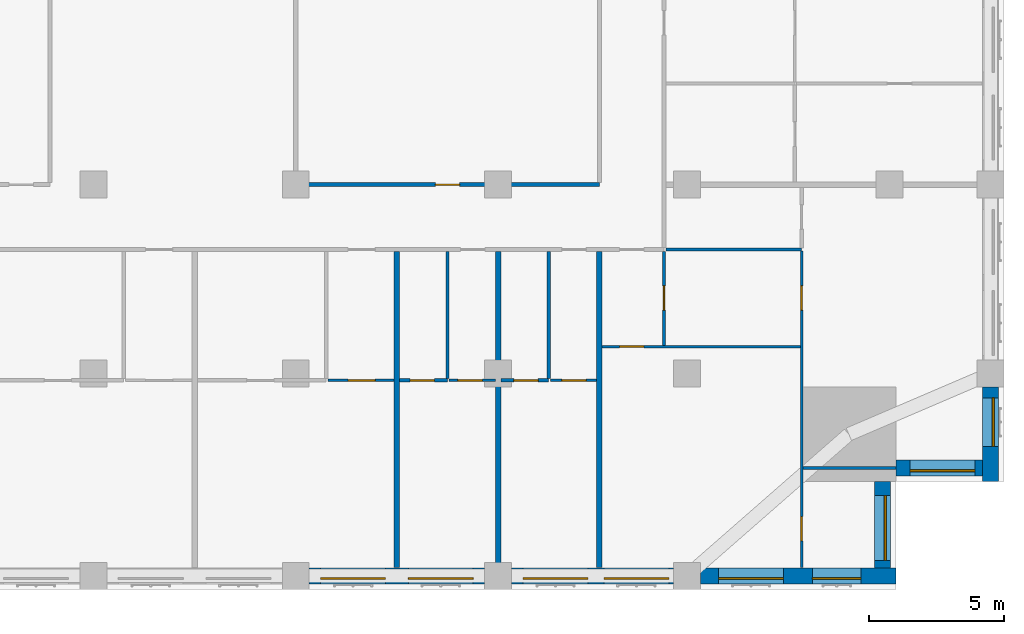
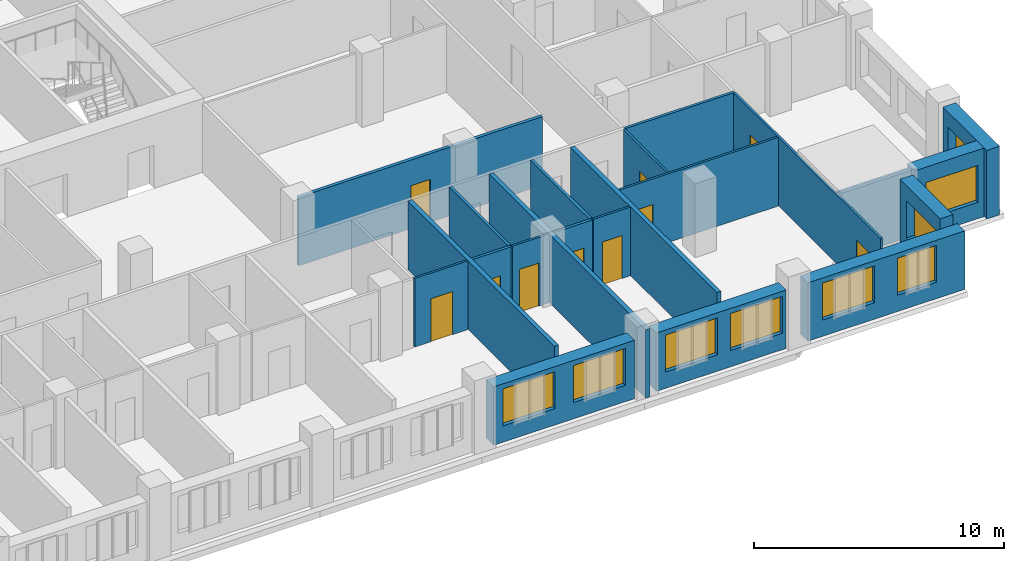
# One storey, part 6 of 14: 22 walls, 10 doors, 9 windows, 19 openings.
"""IFC4 building model written with IfcOpenShell, lengths in metres."""

from ifc_helpers import new_model, si_unit, direction, frame, frame_2d, origin, place, context, subcontext, project, spatial, rectangle, extrude, material, layer, layer_set, type_object, element, fill, save


model = new_model("IFC4")

# Units and contexts
model_context = context("Model", 3, precision=1e-05, world=origin(), true_north=direction((0.0, 1.0)))
body_context = subcontext(model_context, "Body", "Model", "MODEL_VIEW")
ifc_project = project(units=[si_unit("LENGTHUNIT", "METRE"), si_unit("AREAUNIT", "SQUARE_METRE"), si_unit("VOLUMEUNIT", "CUBIC_METRE"), si_unit("PLANEANGLEUNIT", "RADIAN"), si_unit("MASSUNIT", "GRAM", prefix="KILO")], contexts=[model_context])

# Site, building, storey
site_placement = place(None, origin())
site = spatial("IfcSite", under=ifc_project, at=site_placement, CompositionType="ELEMENT")
building_placement = place(site_placement, origin())
building = spatial("IfcBuilding", under=site, at=building_placement, Name="Tamorin Gate", CompositionType="ELEMENT")
storey_placement = place(building_placement, frame((0.0, 0.0, 155.39990234375)))
storey = spatial("IfcBuildingStorey", under=building, at=storey_placement, Name="L38", CompositionType="ELEMENT", Elevation=155.39990234375)

# Wall, openings, windows
ifc_material_1 = material(Name="Precast concrete C40/50", Category="concrete")
ifc_layer_1 = layer(ifc_material_1, 0.60009765625)
ifc_layer_set_1 = layer_set([ifc_layer_1], Name="Precast concrete C40/50")
wall_type_1 = type_object("IfcWallType", Name="Board-marked concrete facade panel 600", PredefinedType="SOLIDWALL", material=ifc_layer_set_1)
wall_1_placement = place(storey_placement, frame((60.5, 38.0, 0.0), z_axis=(0.0, 0.0, 1.0), x_axis=(1.0, 0.0, 0.0)))
wall_1 = element("IfcWall", 1, at=wall_1_placement, inside=storey, type_object=wall_type_1, Name="Facade panel", PredefinedType="SOLIDWALL", context=body_context, shape_type="SweptSolid", body=[
    extrude(rectangle(XDim=6.5, YDim=0.60009765625, at=frame_2d((3.25, 0.0))), origin(), (0.0, 0.0, 1.0), 2.85009765625),
])
opening_1_placement = place(wall_1_placement, frame((0.425048828125, 0.0, 0.800048828125)))
opening_1 = element("IfcOpeningElement", 2, at=opening_1_placement, cuts=wall_1, Name="Opening WN1", PredefinedType="OPENING", context=body_context, shape_type="SweptSolid", body=[
    extrude(rectangle(XDim=2.39990234375, YDim=1.800048828125, at=frame_2d((1.199951171875, 0.89990234375))), frame((0.0, 0.31005859375, 0.0), z_axis=(0.0, -1.0, 0.0), x_axis=(1.0, 0.0, 0.0)), (0.0, 0.0, 1.0), 0.6201171875),
])
opening_2_placement = place(wall_1_placement, frame((3.675048828125, 0.0, 0.800048828125)))
opening_2 = element("IfcOpeningElement", 3, at=opening_2_placement, cuts=wall_1, Name="Opening WN1", PredefinedType="OPENING", context=body_context, shape_type="SweptSolid", body=[
    extrude(rectangle(XDim=2.39990234375, YDim=1.800048828125, at=frame_2d((1.199951171875, 0.89990234375))), frame((0.0, 0.31005859375, 0.0), z_axis=(0.0, -1.0, 0.0), x_axis=(1.0, 0.0, 0.0)), (0.0, 0.0, 1.0), 0.6201171875),
])
ifc_material_2 = material(Name="Clear glass in aluminium frame", Category="aluminium")
window_type_1 = type_object("IfcWindowType", Name="Deep-set window 2400x1800", PartitioningType="SINGLE_PANEL", PredefinedType="WINDOW", material=ifc_material_2)
window_1_placement = place(opening_1_placement, origin())
window_1 = element("IfcWindow", 4, at=window_1_placement, inside=storey, type_object=window_type_1, Name="Deep-set window", OverallHeight=1.800048828125, OverallWidth=2.39990234375, PartitioningType="SINGLE_PANEL", PredefinedType="WINDOW", context=body_context, shape_type="SweptSolid", body=[
    extrude(rectangle(XDim=2.39990234375, YDim=1.800048828125, at=frame_2d((1.199951171875, 0.89990234375))), frame((0.0, -0.070068359375, 0.0), z_axis=(0.0, -1.0, 0.0), x_axis=(1.0, 0.0, 0.0)), (0.0, 0.0, 1.0), 0.06005859375),
])
fill(opening_1, window_1)
window_2_placement = place(opening_2_placement, origin())
window_2 = element("IfcWindow", 5, at=window_2_placement, inside=storey, type_object=window_type_1, Name="Deep-set window", OverallHeight=1.800048828125, OverallWidth=2.39990234375, PartitioningType="SINGLE_PANEL", PredefinedType="WINDOW", context=body_context, shape_type="SweptSolid", body=[
    extrude(rectangle(XDim=2.39990234375, YDim=1.800048828125, at=frame_2d((1.199951171875, 0.89990234375))), frame((0.0, -0.070068359375, 0.0), z_axis=(0.0, -1.0, 0.0), x_axis=(1.0, 0.0, 0.0)), (0.0, 0.0, 1.0), 0.06005859375),
])
fill(opening_2, window_2)

wall_2_placement = place(storey_placement, frame((68.0, 38.0, 0.0), z_axis=(0.0, 0.0, 1.0), x_axis=(1.0, 0.0, 0.0)))
wall_2 = element("IfcWall", 6, at=wall_2_placement, inside=storey, type_object=wall_type_1, Name="Facade panel", PredefinedType="SOLIDWALL", context=body_context, shape_type="SweptSolid", body=[
    extrude(rectangle(XDim=6.0, YDim=0.60009765625, at=frame_2d((3.0, 0.0))), origin(), (0.0, 0.0, 1.0), 2.85009765625),
])
opening_3_placement = place(wall_2_placement, frame((0.425048828125, 0.0, 0.800048828125)))
opening_3 = element("IfcOpeningElement", 7, at=opening_3_placement, cuts=wall_2, Name="Opening WN1", PredefinedType="OPENING", context=body_context, shape_type="SweptSolid", body=[
    extrude(rectangle(XDim=2.39990234375, YDim=1.800048828125, at=frame_2d((1.199951171875, 0.89990234375))), frame((0.0, 0.31005859375, 0.0), z_axis=(0.0, -1.0, 0.0), x_axis=(1.0, 0.0, 0.0)), (0.0, 0.0, 1.0), 0.6201171875),
])
opening_4_placement = place(wall_2_placement, frame((3.425048828125, 0.0, 0.800048828125)))
opening_4 = element("IfcOpeningElement", 8, at=opening_4_placement, cuts=wall_2, Name="Opening WN1", PredefinedType="OPENING", context=body_context, shape_type="SweptSolid", body=[
    extrude(rectangle(XDim=2.39990234375, YDim=1.800048828125, at=frame_2d((1.199951171875, 0.89990234375))), frame((0.0, 0.31005859375, 0.0), z_axis=(0.0, -1.0, 0.0), x_axis=(1.0, 0.0, 0.0)), (0.0, 0.0, 1.0), 0.6201171875),
])
window_3_placement = place(opening_3_placement, origin())
window_3 = element("IfcWindow", 9, at=window_3_placement, inside=storey, type_object=window_type_1, Name="Deep-set window", OverallHeight=1.800048828125, OverallWidth=2.39990234375, PartitioningType="SINGLE_PANEL", PredefinedType="WINDOW", context=body_context, shape_type="SweptSolid", body=[
    extrude(rectangle(XDim=2.39990234375, YDim=1.800048828125, at=frame_2d((1.199951171875, 0.89990234375))), frame((0.0, -0.070068359375, 0.0), z_axis=(0.0, -1.0, 0.0), x_axis=(1.0, 0.0, 0.0)), (0.0, 0.0, 1.0), 0.06005859375),
])
fill(opening_3, window_3)
window_4_placement = place(opening_4_placement, origin())
window_4 = element("IfcWindow", 10, at=window_4_placement, inside=storey, type_object=window_type_1, Name="Deep-set window", OverallHeight=1.800048828125, OverallWidth=2.39990234375, PartitioningType="SINGLE_PANEL", PredefinedType="WINDOW", context=body_context, shape_type="SweptSolid", body=[
    extrude(rectangle(XDim=2.39990234375, YDim=1.800048828125, at=frame_2d((1.199951171875, 0.89990234375))), frame((0.0, -0.070068359375, 0.0), z_axis=(0.0, -1.0, 0.0), x_axis=(1.0, 0.0, 0.0)), (0.0, 0.0, 1.0), 0.06005859375),
])
fill(opening_4, window_4)

wall_3_placement = place(storey_placement, frame((75.0, 38.0, 0.0), z_axis=(0.0, 0.0, 1.0), x_axis=(1.0, 0.0, 0.0)))
wall_3 = element("IfcWall", 11, at=wall_3_placement, inside=storey, type_object=wall_type_1, Name="Facade panel", PredefinedType="SOLIDWALL", context=body_context, shape_type="SweptSolid", body=[
    extrude(rectangle(XDim=7.25, YDim=0.60009765625, at=frame_2d((3.625, 0.0))), origin(), (0.0, 0.0, 1.0), 2.85009765625),
])
opening_5_placement = place(wall_3_placement, frame((0.675048828125, 0.0, 0.800048828125)))
opening_5 = element("IfcOpeningElement", 12, at=opening_5_placement, cuts=wall_3, Name="Opening WN1", PredefinedType="OPENING", context=body_context, shape_type="SweptSolid", body=[
    extrude(rectangle(XDim=2.39990234375, YDim=1.800048828125, at=frame_2d((1.199951171875, 0.89990234375))), frame((0.0, 0.31005859375, 0.0), z_axis=(0.0, -1.0, 0.0), x_axis=(1.0, 0.0, 0.0)), (0.0, 0.0, 1.0), 0.6201171875),
])
opening_6_placement = place(wall_3_placement, frame((4.14990234375, 0.0, 0.800048828125)))
opening_6 = element("IfcOpeningElement", 13, at=opening_6_placement, cuts=wall_3, Name="Opening WN2", PredefinedType="OPENING", context=body_context, shape_type="SweptSolid", body=[
    extrude(rectangle(XDim=1.800048828125, YDim=1.800048828125, at=frame_2d((0.89990234375, 0.89990234375))), frame((0.0, 0.31005859375, 0.0), z_axis=(0.0, -1.0, 0.0), x_axis=(1.0, 0.0, 0.0)), (0.0, 0.0, 1.0), 0.6201171875),
])
window_type_2 = type_object("IfcWindowType", Name="Deep-set window 1800x1800", PartitioningType="SINGLE_PANEL", PredefinedType="WINDOW", material=ifc_material_2)
window_5_placement = place(opening_6_placement, origin())
window_5 = element("IfcWindow", 14, at=window_5_placement, inside=storey, type_object=window_type_2, Name="Deep-set window", OverallHeight=1.800048828125, OverallWidth=1.800048828125, PartitioningType="SINGLE_PANEL", PredefinedType="WINDOW", context=body_context, shape_type="SweptSolid", body=[
    extrude(rectangle(XDim=1.800048828125, YDim=1.800048828125, at=frame_2d((0.89990234375, 0.89990234375))), frame((0.0, -0.070068359375, 0.0), z_axis=(0.0, -1.0, 0.0), x_axis=(1.0, 0.0, 0.0)), (0.0, 0.0, 1.0), 0.06005859375),
])
fill(opening_6, window_5)
window_6_placement = place(opening_5_placement, origin())
window_6 = element("IfcWindow", 15, at=window_6_placement, inside=storey, type_object=window_type_1, Name="Deep-set window", OverallHeight=1.800048828125, OverallWidth=2.39990234375, PartitioningType="SINGLE_PANEL", PredefinedType="WINDOW", context=body_context, shape_type="SweptSolid", body=[
    extrude(rectangle(XDim=2.39990234375, YDim=1.800048828125, at=frame_2d((1.199951171875, 0.89990234375))), frame((0.0, -0.070068359375, 0.0), z_axis=(0.0, -1.0, 0.0), x_axis=(1.0, 0.0, 0.0)), (0.0, 0.0, 1.0), 0.06005859375),
])
fill(opening_5, window_6)

# Wall, opening, window
wall_4_placement = place(storey_placement, frame((81.75, 38.300048828125, 0.0), z_axis=(0.0, 0.0, 1.0), x_axis=(0.0, 1.0, 0.0)))
wall_4 = element("IfcWall", 16, at=wall_4_placement, inside=storey, type_object=wall_type_1, Name="Facade panel", PredefinedType="SOLIDWALL", context=body_context, shape_type="SweptSolid", body=[
    extrude(rectangle(XDim=3.199951171875, YDim=0.60009765625, at=frame_2d((1.60009765625, 0.0))), origin(), (0.0, 0.0, 1.0), 3.35009765625),
])
opening_7_placement = place(wall_4_placement, frame((0.27490234375, 0.0, 0.800048828125)))
opening_7 = element("IfcOpeningElement", 17, at=opening_7_placement, cuts=wall_4, Name="Opening WN1", PredefinedType="OPENING", context=body_context, shape_type="SweptSolid", body=[
    extrude(rectangle(XDim=2.39990234375, YDim=1.800048828125, at=frame_2d((1.199951171875, 0.89990234375))), frame((0.0, 0.31005859375, 0.0), z_axis=(0.0, -1.0, 0.0), x_axis=(1.0, 0.0, 0.0)), (0.0, 0.0, 1.0), 0.6201171875),
])
window_7_placement = place(opening_7_placement, origin())
window_7 = element("IfcWindow", 18, at=window_7_placement, inside=storey, type_object=window_type_1, Name="Deep-set window", OverallHeight=1.800048828125, OverallWidth=2.39990234375, PartitioningType="SINGLE_PANEL", PredefinedType="WINDOW", context=body_context, shape_type="SweptSolid", body=[
    extrude(rectangle(XDim=2.39990234375, YDim=1.800048828125, at=frame_2d((1.199951171875, 0.89990234375))), frame((0.0, -0.070068359375, 0.0), z_axis=(0.0, -1.0, 0.0), x_axis=(1.0, 0.0, 0.0)), (0.0, 0.0, 1.0), 0.06005859375),
])
fill(opening_7, window_7)

wall_5_placement = place(storey_placement, frame((82.25, 42.0, 0.0), z_axis=(0.0, 0.0, 1.0), x_axis=(1.0, 0.0, 0.0)))
wall_5 = element("IfcWall", 19, at=wall_5_placement, inside=storey, type_object=wall_type_1, Name="Facade panel", PredefinedType="SOLIDWALL", context=body_context, shape_type="SweptSolid", body=[
    extrude(rectangle(XDim=3.199951171875, YDim=0.60009765625, at=frame_2d((1.60009765625, 0.0))), origin(), (0.0, 0.0, 1.0), 3.35009765625),
])
opening_8_placement = place(wall_5_placement, frame((0.52490234375, 0.0, 0.800048828125)))
opening_8 = element("IfcOpeningElement", 20, at=opening_8_placement, cuts=wall_5, Name="Opening WN1", PredefinedType="OPENING", context=body_context, shape_type="SweptSolid", body=[
    extrude(rectangle(XDim=2.39990234375, YDim=1.800048828125, at=frame_2d((1.199951171875, 0.89990234375))), frame((0.0, 0.31005859375, 0.0), z_axis=(0.0, -1.0, 0.0), x_axis=(1.0, 0.0, 0.0)), (0.0, 0.0, 1.0), 0.6201171875),
])
window_8_placement = place(opening_8_placement, origin())
window_8 = element("IfcWindow", 21, at=window_8_placement, inside=storey, type_object=window_type_1, Name="Deep-set window", OverallHeight=1.800048828125, OverallWidth=2.39990234375, PartitioningType="SINGLE_PANEL", PredefinedType="WINDOW", context=body_context, shape_type="SweptSolid", body=[
    extrude(rectangle(XDim=2.39990234375, YDim=1.800048828125, at=frame_2d((1.199951171875, 0.89990234375))), frame((0.0, -0.070068359375, 0.0), z_axis=(0.0, -1.0, 0.0), x_axis=(1.0, 0.0, 0.0)), (0.0, 0.0, 1.0), 0.06005859375),
])
fill(opening_8, window_8)

wall_6_placement = place(storey_placement, frame((85.75, 41.5, 0.0), z_axis=(0.0, 0.0, 1.0), x_axis=(0.0, 1.0, 0.0)))
wall_6 = element("IfcWall", 22, at=wall_6_placement, inside=storey, type_object=wall_type_1, Name="Facade panel", PredefinedType="SOLIDWALL", context=body_context, shape_type="SweptSolid", body=[
    extrude(rectangle(XDim=3.5, YDim=0.60009765625, at=frame_2d((1.75, 0.0))), origin(), (0.0, 0.0, 1.0), 3.35009765625),
])
opening_9_placement = place(wall_6_placement, frame((1.300048828125, 0.0, 0.800048828125)))
opening_9 = element("IfcOpeningElement", 23, at=opening_9_placement, cuts=wall_6, Name="Opening WN2", PredefinedType="OPENING", context=body_context, shape_type="SweptSolid", body=[
    extrude(rectangle(XDim=1.800048828125, YDim=1.800048828125, at=frame_2d((0.89990234375, 0.89990234375))), frame((0.0, 0.31005859375, 0.0), z_axis=(0.0, -1.0, 0.0), x_axis=(1.0, 0.0, 0.0)), (0.0, 0.0, 1.0), 0.6201171875),
])
window_9_placement = place(opening_9_placement, origin())
window_9 = element("IfcWindow", 24, at=window_9_placement, inside=storey, type_object=window_type_2, Name="Deep-set window", OverallHeight=1.800048828125, OverallWidth=1.800048828125, PartitioningType="SINGLE_PANEL", PredefinedType="WINDOW", context=body_context, shape_type="SweptSolid", body=[
    extrude(rectangle(XDim=1.800048828125, YDim=1.800048828125, at=frame_2d((0.89990234375, 0.89990234375))), frame((0.0, -0.070068359375, 0.0), z_axis=(0.0, -1.0, 0.0), x_axis=(1.0, 0.0, 0.0)), (0.0, 0.0, 1.0), 0.06005859375),
])
fill(opening_9, window_9)

# Wall, opening, door
ifc_material_3 = material(Name="Gypsum board partition")
ifc_layer_2 = layer(ifc_material_3, 0.14990234375)
ifc_layer_set_2 = layer_set([ifc_layer_2], Name="Corridor wall 150")
wall_type_2 = type_object("IfcWallType", Name="Corridor wall 150", PredefinedType="PARTITIONING", material=ifc_layer_set_2)
wall_7_placement = place(storey_placement, frame((60.0, 52.5, 0.0), z_axis=(0.0, 0.0, 1.0), x_axis=(1.0, 0.0, 0.0)))
wall_7 = element("IfcWall", 25, at=wall_7_placement, inside=storey, type_object=wall_type_2, Name="Corridor wall 150", PredefinedType="PARTITIONING", context=body_context, shape_type="SweptSolid", body=[
    extrude(rectangle(XDim=11.25, YDim=0.14990234375, at=frame_2d((5.625, 0.0))), origin(), (0.0, 0.0, 1.0), 3.35009765625),
])
opening_10_placement = place(wall_7_placement, frame((5.175048828125, 0.0, 0.0)))
opening_10 = element("IfcOpeningElement", 26, at=opening_10_placement, cuts=wall_7, Name="Opening DS4074", PredefinedType="OPENING", context=body_context, shape_type="SweptSolid", body=[
    extrude(rectangle(XDim=0.89990234375, YDim=2.10009765625, at=frame_2d((0.449951171875, 1.050048828125))), frame((0.0, 0.0849609375, 0.0), z_axis=(0.0, -1.0, 0.0), x_axis=(1.0, 0.0, 0.0)), (0.0, 0.0, 1.0), 0.169921875),
])
ifc_material_4 = material(Name="Timber door leaf", Category="wood")
door_type_1 = type_object("IfcDoorType", Name="Door 900 x 2100 FD30S", OperationType="NOTDEFINED", PredefinedType="DOOR", material=ifc_material_4)
door_1_placement = place(opening_10_placement, origin())
door_1 = element("IfcDoor", 27, at=door_1_placement, inside=storey, type_object=door_type_1, Name="Door DS4074", OperationType="SINGLE_SWING_LEFT", OverallHeight=2.10009765625, OverallWidth=0.89990234375, PredefinedType="DOOR", context=body_context, shape_type="SweptSolid", body=[
    extrude(rectangle(XDim=0.89990234375, YDim=2.10009765625, at=frame_2d((0.449951171875, 1.050048828125))), frame((0.0, 0.02490234375, 0.0), z_axis=(0.0, -1.0, 0.0), x_axis=(1.0, 0.0, 0.0)), (0.0, 0.0, 1.0), 0.050048828125),
])
fill(opening_10, door_1)

# Walls
ifc_layer_3 = layer(ifc_material_3, 0.199951171875)
ifc_layer_set_3 = layer_set([ifc_layer_3], Name="Demising wall 200")
wall_type_3 = type_object("IfcWallType", Name="Demising wall 200", PredefinedType="PARTITIONING", material=ifc_layer_set_3)
wall_8_placement = place(storey_placement, frame((63.75, 38.31005859375, 0.0), z_axis=(0.0, 0.0, 1.0), x_axis=(0.0, 1.0, 0.0)))
element("IfcWall", 28, at=wall_8_placement, inside=storey, type_object=wall_type_3, Name="Demising wall 200", PredefinedType="PARTITIONING", context=body_context, shape_type="SweptSolid", body=[
    extrude(rectangle(XDim=11.71484375, YDim=0.199951171875, at=frame_2d((5.857421875, 0.0))), origin(), (0.0, 0.0, 1.0), 3.35009765625),
])
wall_9_placement = place(storey_placement, frame((67.5, 37.5, 0.0), z_axis=(0.0, 0.0, 1.0), x_axis=(0.0, 1.0, 0.0)))
element("IfcWall", 29, at=wall_9_placement, inside=storey, type_object=wall_type_3, Name="Demising wall 200", PredefinedType="PARTITIONING", context=body_context, shape_type="SweptSolid", body=[
    extrude(rectangle(XDim=12.52490234375, YDim=0.199951171875, at=frame_2d((6.262451171875, 0.0))), origin(), (0.0, 0.0, 1.0), 3.35009765625),
])
wall_10_placement = place(storey_placement, frame((71.25, 38.31005859375, 0.0), z_axis=(0.0, 0.0, 1.0), x_axis=(0.0, 1.0, 0.0)))
element("IfcWall", 30, at=wall_10_placement, inside=storey, type_object=wall_type_3, Name="Demising wall 200", PredefinedType="PARTITIONING", context=body_context, shape_type="SweptSolid", body=[
    extrude(rectangle(XDim=11.71484375, YDim=0.199951171875, at=frame_2d((5.857421875, 0.0))), origin(), (0.0, 0.0, 1.0), 3.35009765625),
])
ifc_layer_4 = layer(ifc_material_3, 0.10009765625)
ifc_layer_set_4 = layer_set([ifc_layer_4], Name="Room partition 100")
wall_type_4 = type_object("IfcWallType", Name="Room partition 100", PredefinedType="PARTITIONING", material=ifc_layer_set_4)
wall_11_placement = place(storey_placement, frame((78.800048828125, 42.0, 0.0), z_axis=(0.0, 0.0, 1.0), x_axis=(1.0, 0.0, 0.0)))
element("IfcWall", 31, at=wall_11_placement, inside=storey, type_object=wall_type_4, Name="Room partition 100", PredefinedType="PARTITIONING", context=body_context, shape_type="SweptSolid", body=[
    extrude(rectangle(XDim=3.43994140625, YDim=0.10009765625, at=frame_2d((1.719970703125, 0.0))), origin(), (0.0, 0.0, 1.0), 3.35009765625),
])

# Wall, opening, door
wall_12_placement = place(storey_placement, frame((61.1875, 45.25, 0.0), z_axis=(0.0, 0.0, 1.0), x_axis=(1.0, 0.0, 0.0)))
wall_12 = element("IfcWall", 32, at=wall_12_placement, inside=storey, type_object=wall_type_4, Name="Room partition 100", PredefinedType="PARTITIONING", context=body_context, shape_type="SweptSolid", body=[
    extrude(rectangle(XDim=2.46240234375, YDim=0.10009765625, at=frame_2d((1.231201171875, 0.0))), origin(), (0.0, 0.0, 1.0), 3.35009765625),
])
opening_11_placement = place(wall_12_placement, frame((0.75, 0.0, 0.0)))
opening_11 = element("IfcOpeningElement", 33, at=opening_11_placement, cuts=wall_12, Name="Opening DS4016", PredefinedType="OPENING", context=body_context, shape_type="SweptSolid", body=[
    extrude(rectangle(XDim=1.0, YDim=2.10009765625, at=frame_2d((0.5, 1.050048828125))), frame((0.0, 0.06005859375, 0.0), z_axis=(0.0, -1.0, 0.0), x_axis=(1.0, 0.0, 0.0)), (0.0, 0.0, 1.0), 0.1201171875),
])
door_type_2 = type_object("IfcDoorType", Name="Door 1000 x 2100", OperationType="NOTDEFINED", PredefinedType="DOOR", material=ifc_material_4)
door_2_placement = place(opening_11_placement, origin())
door_2 = element("IfcDoor", 34, at=door_2_placement, inside=storey, type_object=door_type_2, Name="Door DS4016", OperationType="SINGLE_SWING_LEFT", OverallHeight=2.10009765625, OverallWidth=1.0, PredefinedType="DOOR", context=body_context, shape_type="SweptSolid", body=[
    extrude(rectangle(XDim=1.0, YDim=2.10009765625, at=frame_2d((0.5, 1.050048828125))), frame((0.0, 0.02490234375, 0.0), z_axis=(0.0, -1.0, 0.0), x_axis=(1.0, 0.0, 0.0)), (0.0, 0.0, 1.0), 0.050048828125),
])
fill(opening_11, door_2)

wall_13_placement = place(storey_placement, frame((65.6875, 45.25, 0.0), z_axis=(0.0, 0.0, 1.0), x_axis=(1.0, 0.0, 0.0)))
wall_13 = element("IfcWall", 35, at=wall_13_placement, inside=storey, type_object=wall_type_4, Name="Room partition 100", PredefinedType="PARTITIONING", context=body_context, shape_type="SweptSolid", body=[
    extrude(rectangle(XDim=1.71240234375, YDim=0.10009765625, at=frame_2d((0.856201171875, 0.0))), origin(), (0.0, 0.0, 1.0), 3.35009765625),
])
opening_12_placement = place(wall_13_placement, frame((0.324951171875, 0.0, 0.0)))
opening_12 = element("IfcOpeningElement", 36, at=opening_12_placement, cuts=wall_13, Name="Opening DS4019", PredefinedType="OPENING", context=body_context, shape_type="SweptSolid", body=[
    extrude(rectangle(XDim=0.89990234375, YDim=2.10009765625, at=frame_2d((0.449951171875, 1.050048828125))), frame((0.0, 0.06005859375, 0.0), z_axis=(0.0, -1.0, 0.0), x_axis=(1.0, 0.0, 0.0)), (0.0, 0.0, 1.0), 0.1201171875),
])
door_type_3 = type_object("IfcDoorType", Name="Door 900 x 2100", OperationType="NOTDEFINED", PredefinedType="DOOR", material=ifc_material_4)
door_3_placement = place(opening_12_placement, origin())
door_3 = element("IfcDoor", 37, at=door_3_placement, inside=storey, type_object=door_type_3, Name="Door DS4019", OperationType="SINGLE_SWING_LEFT", OverallHeight=2.10009765625, OverallWidth=0.89990234375, PredefinedType="DOOR", context=body_context, shape_type="SweptSolid", body=[
    extrude(rectangle(XDim=0.89990234375, YDim=2.10009765625, at=frame_2d((0.449951171875, 1.050048828125))), frame((0.0, 0.02490234375, 0.0), z_axis=(0.0, -1.0, 0.0), x_axis=(1.0, 0.0, 0.0)), (0.0, 0.0, 1.0), 0.050048828125),
])
fill(opening_12, door_3)

wall_14_placement = place(storey_placement, frame((69.4375, 45.25, 0.0), z_axis=(0.0, 0.0, 1.0), x_axis=(1.0, 0.0, 0.0)))
wall_14 = element("IfcWall", 38, at=wall_14_placement, inside=storey, type_object=wall_type_4, Name="Room partition 100", PredefinedType="PARTITIONING", context=body_context, shape_type="SweptSolid", body=[
    extrude(rectangle(XDim=1.71240234375, YDim=0.10009765625, at=frame_2d((0.856201171875, 0.0))), origin(), (0.0, 0.0, 1.0), 3.35009765625),
])
opening_13_placement = place(wall_14_placement, frame((0.425048828125, 0.0, 0.0)))
opening_13 = element("IfcOpeningElement", 39, at=opening_13_placement, cuts=wall_14, Name="Opening DS4022", PredefinedType="OPENING", context=body_context, shape_type="SweptSolid", body=[
    extrude(rectangle(XDim=0.89990234375, YDim=2.10009765625, at=frame_2d((0.449951171875, 1.050048828125))), frame((0.0, 0.06005859375, 0.0), z_axis=(0.0, -1.0, 0.0), x_axis=(1.0, 0.0, 0.0)), (0.0, 0.0, 1.0), 0.1201171875),
])
door_4_placement = place(opening_13_placement, origin())
door_4 = element("IfcDoor", 40, at=door_4_placement, inside=storey, type_object=door_type_3, Name="Door DS4022", OperationType="SINGLE_SWING_LEFT", OverallHeight=2.10009765625, OverallWidth=0.89990234375, PredefinedType="DOOR", context=body_context, shape_type="SweptSolid", body=[
    extrude(rectangle(XDim=0.89990234375, YDim=2.10009765625, at=frame_2d((0.449951171875, 1.050048828125))), frame((0.0, 0.02490234375, 0.0), z_axis=(0.0, -1.0, 0.0), x_axis=(1.0, 0.0, 0.0)), (0.0, 0.0, 1.0), 0.050048828125),
])
fill(opening_13, door_4)

wall_15_placement = place(storey_placement, frame((71.35009765625, 46.5, 0.0), z_axis=(0.0, 0.0, 1.0), x_axis=(1.0, 0.0, 0.0)))
wall_15 = element("IfcWall", 41, at=wall_15_placement, inside=storey, type_object=wall_type_4, Name="Room partition 100", PredefinedType="PARTITIONING", context=body_context, shape_type="SweptSolid", body=[
    extrude(rectangle(XDim=7.349853515625, YDim=0.10009765625, at=frame_2d((3.6748046875, 0.0))), origin(), (0.0, 0.0, 1.0), 3.35009765625),
])
opening_14_placement = place(wall_15_placement, frame((0.64990234375, 0.0, 0.0)))
opening_14 = element("IfcOpeningElement", 42, at=opening_14_placement, cuts=wall_15, Name="Opening DS4060", PredefinedType="OPENING", context=body_context, shape_type="SweptSolid", body=[
    extrude(rectangle(XDim=0.89990234375, YDim=2.10009765625, at=frame_2d((0.449951171875, 1.050048828125))), frame((0.0, 0.06005859375, 0.0), z_axis=(0.0, -1.0, 0.0), x_axis=(1.0, 0.0, 0.0)), (0.0, 0.0, 1.0), 0.1201171875),
])
door_5_placement = place(opening_14_placement, origin())
door_5 = element("IfcDoor", 43, at=door_5_placement, inside=storey, type_object=door_type_3, Name="Door DS4060", OperationType="SINGLE_SWING_RIGHT", OverallHeight=2.10009765625, OverallWidth=0.89990234375, PredefinedType="DOOR", context=body_context, shape_type="SweptSolid", body=[
    extrude(rectangle(XDim=0.89990234375, YDim=2.10009765625, at=frame_2d((0.449951171875, 1.050048828125))), frame((0.0, 0.02490234375, 0.0), z_axis=(0.0, -1.0, 0.0), x_axis=(1.0, 0.0, 0.0)), (0.0, 0.0, 1.0), 0.050048828125),
])
fill(opening_14, door_5)

wall_16_placement = place(storey_placement, frame((73.64990234375, 46.550048828125, 0.0), z_axis=(0.0, 0.0, 1.0), x_axis=(0.0, 1.0, 0.0)))
wall_16 = element("IfcWall", 44, at=wall_16_placement, inside=storey, type_object=wall_type_4, Name="Room partition 100", PredefinedType="PARTITIONING", context=body_context, shape_type="SweptSolid", body=[
    extrude(rectangle(XDim=3.474853515625, YDim=0.10009765625, at=frame_2d((1.7373046875, 0.0))), origin(), (0.0, 0.0, 1.0), 3.35009765625),
])
opening_15_placement = place(wall_16_placement, frame((1.300048828125, 0.0, 0.0)))
opening_15 = element("IfcOpeningElement", 45, at=opening_15_placement, cuts=wall_16, Name="Opening DS4061", PredefinedType="OPENING", context=body_context, shape_type="SweptSolid", body=[
    extrude(rectangle(XDim=0.89990234375, YDim=2.10009765625, at=frame_2d((0.449951171875, 1.050048828125))), frame((0.0, 0.06005859375, 0.0), z_axis=(0.0, -1.0, 0.0), x_axis=(1.0, 0.0, 0.0)), (0.0, 0.0, 1.0), 0.1201171875),
])
door_6_placement = place(opening_15_placement, origin())
door_6 = element("IfcDoor", 46, at=door_6_placement, inside=storey, type_object=door_type_3, Name="Door DS4061", OperationType="SINGLE_SWING_RIGHT", OverallHeight=2.10009765625, OverallWidth=0.89990234375, PredefinedType="DOOR", context=body_context, shape_type="SweptSolid", body=[
    extrude(rectangle(XDim=0.89990234375, YDim=2.10009765625, at=frame_2d((0.449951171875, 1.050048828125))), frame((0.0, 0.02490234375, 0.0), z_axis=(0.0, -1.0, 0.0), x_axis=(1.0, 0.0, 0.0)), (0.0, 0.0, 1.0), 0.050048828125),
])
fill(opening_15, door_6)

# Wall, openings, doors
wall_17_placement = place(storey_placement, frame((78.75, 38.31005859375, 0.0), z_axis=(0.0, 0.0, 1.0), x_axis=(0.0, 1.0, 0.0)))
wall_17 = element("IfcWall", 47, at=wall_17_placement, inside=storey, type_object=wall_type_4, Name="Room partition 100", PredefinedType="PARTITIONING", context=body_context, shape_type="SweptSolid", body=[
    extrude(rectangle(XDim=11.7275390625, YDim=0.10009765625, at=frame_2d((5.86376953125, 0.0))), origin(), (0.0, 0.0, 1.0), 3.35009765625),
])
opening_16_placement = place(wall_17_placement, frame((0.989990234375, 0.0, 0.0)))
opening_16 = element("IfcOpeningElement", 48, at=opening_16_placement, cuts=wall_17, Name="Opening DS4062", PredefinedType="OPENING", context=body_context, shape_type="SweptSolid", body=[
    extrude(rectangle(XDim=0.89990234375, YDim=2.10009765625, at=frame_2d((0.449951171875, 1.050048828125))), frame((0.0, 0.06005859375, 0.0), z_axis=(0.0, -1.0, 0.0), x_axis=(1.0, 0.0, 0.0)), (0.0, 0.0, 1.0), 0.1201171875),
])
opening_17_placement = place(wall_17_placement, frame((9.5400390625, 0.0, 0.0)))
opening_17 = element("IfcOpeningElement", 49, at=opening_17_placement, cuts=wall_17, Name="Opening DS4063", PredefinedType="OPENING", context=body_context, shape_type="SweptSolid", body=[
    extrude(rectangle(XDim=0.89990234375, YDim=2.10009765625, at=frame_2d((0.449951171875, 1.050048828125))), frame((0.0, 0.06005859375, 0.0), z_axis=(0.0, -1.0, 0.0), x_axis=(1.0, 0.0, 0.0)), (0.0, 0.0, 1.0), 0.1201171875),
])
door_7_placement = place(opening_16_placement, origin())
door_7 = element("IfcDoor", 50, at=door_7_placement, inside=storey, type_object=door_type_3, Name="Door DS4062", OperationType="SINGLE_SWING_LEFT", OverallHeight=2.10009765625, OverallWidth=0.89990234375, PredefinedType="DOOR", context=body_context, shape_type="SweptSolid", body=[
    extrude(rectangle(XDim=0.89990234375, YDim=2.10009765625, at=frame_2d((0.449951171875, 1.050048828125))), frame((0.0, 0.02490234375, 0.0), z_axis=(0.0, -1.0, 0.0), x_axis=(1.0, 0.0, 0.0)), (0.0, 0.0, 1.0), 0.050048828125),
])
fill(opening_16, door_7)
door_8_placement = place(opening_17_placement, origin())
door_8 = element("IfcDoor", 51, at=door_8_placement, inside=storey, type_object=door_type_3, Name="Door DS4063", OperationType="SINGLE_SWING_RIGHT", OverallHeight=2.10009765625, OverallWidth=0.89990234375, PredefinedType="DOOR", context=body_context, shape_type="SweptSolid", body=[
    extrude(rectangle(XDim=0.89990234375, YDim=2.10009765625, at=frame_2d((0.449951171875, 1.050048828125))), frame((0.0, 0.02490234375, 0.0), z_axis=(0.0, -1.0, 0.0), x_axis=(1.0, 0.0, 0.0)), (0.0, 0.0, 1.0), 0.050048828125),
])
fill(opening_17, door_8)

# Wall, opening, door
ifc_layer_5 = layer(ifc_material_3, 0.125)
ifc_layer_set_5 = layer_set([ifc_layer_5], Name="Wet wall 125")
wall_type_5 = type_object("IfcWallType", Name="Wet wall 125", PredefinedType="PARTITIONING", material=ifc_layer_set_5)
wall_18_placement = place(storey_placement, frame((63.85009765625, 45.25, 0.0), z_axis=(0.0, 0.0, 1.0), x_axis=(1.0, 0.0, 0.0)))
wall_18 = element("IfcWall", 52, at=wall_18_placement, inside=storey, type_object=wall_type_5, Name="Wet wall 125", PredefinedType="PARTITIONING", context=body_context, shape_type="SweptSolid", body=[
    extrude(rectangle(XDim=1.77490234375, YDim=0.125, at=frame_2d((0.887451171875, 0.0))), origin(), (0.0, 0.0, 1.0), 3.35009765625),
])
opening_18_placement = place(wall_18_placement, frame((0.387451171875, 0.0, 0.0)))
opening_18 = element("IfcOpeningElement", 53, at=opening_18_placement, cuts=wall_18, Name="Opening DS4017", PredefinedType="OPENING", context=body_context, shape_type="SweptSolid", body=[
    extrude(rectangle(XDim=0.89990234375, YDim=2.10009765625, at=frame_2d((0.449951171875, 1.050048828125))), frame((0.0, 0.072509765625, 0.0), z_axis=(0.0, -1.0, 0.0), x_axis=(1.0, 0.0, 0.0)), (0.0, 0.0, 1.0), 0.14501953125),
])
door_9_placement = place(opening_18_placement, origin())
door_9 = element("IfcDoor", 54, at=door_9_placement, inside=storey, type_object=door_type_3, Name="Door DS4017", OperationType="SINGLE_SWING_LEFT", OverallHeight=2.10009765625, OverallWidth=0.89990234375, PredefinedType="DOOR", context=body_context, shape_type="SweptSolid", body=[
    extrude(rectangle(XDim=0.89990234375, YDim=2.10009765625, at=frame_2d((0.449951171875, 1.050048828125))), frame((0.0, 0.02490234375, 0.0), z_axis=(0.0, -1.0, 0.0), x_axis=(1.0, 0.0, 0.0)), (0.0, 0.0, 1.0), 0.050048828125),
])
fill(opening_18, door_9)

wall_19_placement = place(storey_placement, frame((67.60009765625, 45.25, 0.0), z_axis=(0.0, 0.0, 1.0), x_axis=(1.0, 0.0, 0.0)))
wall_19 = element("IfcWall", 55, at=wall_19_placement, inside=storey, type_object=wall_type_5, Name="Wet wall 125", PredefinedType="PARTITIONING", context=body_context, shape_type="SweptSolid", body=[
    extrude(rectangle(XDim=1.77490234375, YDim=0.125, at=frame_2d((0.887451171875, 0.0))), origin(), (0.0, 0.0, 1.0), 3.35009765625),
])
opening_19_placement = place(wall_19_placement, frame((0.487548828125, 0.0, 0.0)))
opening_19 = element("IfcOpeningElement", 56, at=opening_19_placement, cuts=wall_19, Name="Opening DS4020", PredefinedType="OPENING", context=body_context, shape_type="SweptSolid", body=[
    extrude(rectangle(XDim=0.89990234375, YDim=2.10009765625, at=frame_2d((0.449951171875, 1.050048828125))), frame((0.0, 0.072509765625, 0.0), z_axis=(0.0, -1.0, 0.0), x_axis=(1.0, 0.0, 0.0)), (0.0, 0.0, 1.0), 0.14501953125),
])
door_10_placement = place(opening_19_placement, origin())
door_10 = element("IfcDoor", 57, at=door_10_placement, inside=storey, type_object=door_type_3, Name="Door DS4020", OperationType="SINGLE_SWING_RIGHT", OverallHeight=2.10009765625, OverallWidth=0.89990234375, PredefinedType="DOOR", context=body_context, shape_type="SweptSolid", body=[
    extrude(rectangle(XDim=0.89990234375, YDim=2.10009765625, at=frame_2d((0.449951171875, 1.050048828125))), frame((0.0, 0.02490234375, 0.0), z_axis=(0.0, -1.0, 0.0), x_axis=(1.0, 0.0, 0.0)), (0.0, 0.0, 1.0), 0.050048828125),
])
fill(opening_19, door_10)

# Walls
wall_20_placement = place(storey_placement, frame((73.72509765625, 50.10009765625, 0.0), z_axis=(0.0, 0.0, 1.0), x_axis=(1.0, 0.0, 0.0)))
element("IfcWall", 58, at=wall_20_placement, inside=storey, type_object=wall_type_5, Name="Wet wall 125", PredefinedType="PARTITIONING", context=body_context, shape_type="SweptSolid", body=[
    extrude(rectangle(XDim=5.02490234375, YDim=0.125, at=frame_2d((2.512451171875, 0.0))), origin(), (0.0, 0.0, 1.0), 3.35009765625),
])
for number, where, z_axis, x_axis, name in (
    (59, (65.625, 45.3125, 0.0), (0.0, 0.0, 1.0), (0.0, 1.0, 0.0), "Wet wall 125"),
    (60, (69.375, 45.3125, 0.0), (0.0, 0.0, 1.0), (0.0, 1.0, 0.0), "Wet wall 125"),
):
    element("IfcWall", number, at=place(storey_placement, frame(where, z_axis=z_axis, x_axis=x_axis)), inside=storey, type_object=wall_type_5, Name=name, PredefinedType="PARTITIONING", context=body_context, shape_type="SweptSolid", body=[
        extrude(rectangle(XDim=4.71240234375, YDim=0.125, at=frame_2d((2.356201171875, 0.0))), origin(), (0.0, 0.0, 1.0), 3.35009765625),
    ])

save(model, "model.ifc")
